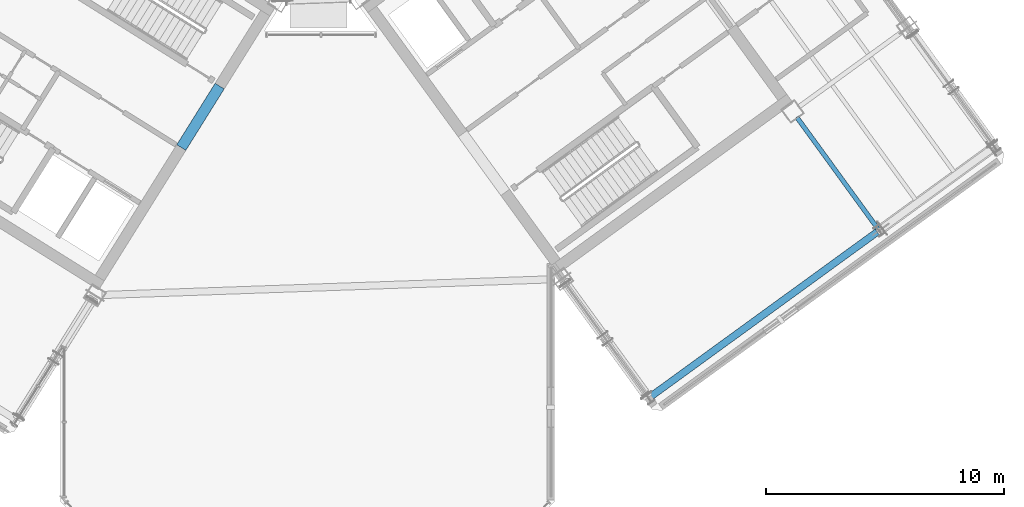
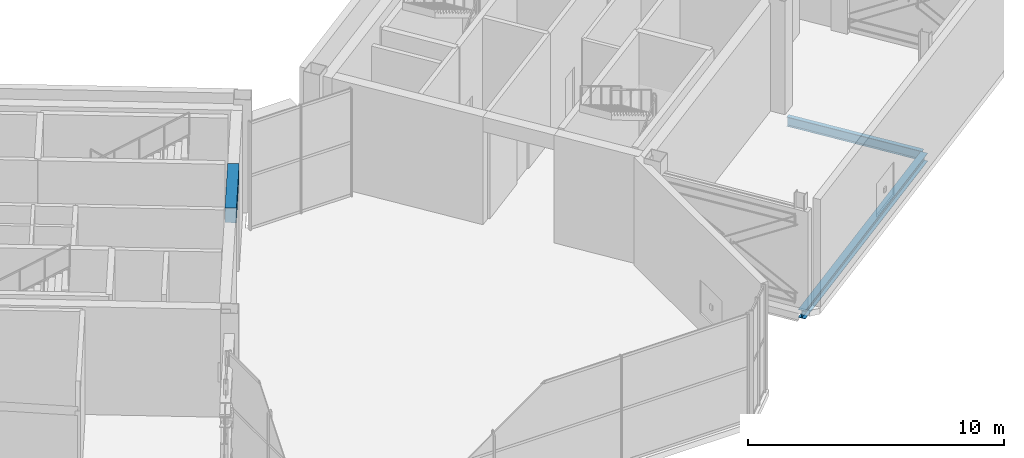
# One storey, part 11 of 32: 3 beams.
"""IFC4 building model written with IfcOpenShell, lengths in metres."""

import ifcopenshell
import ifcopenshell.guid

model = None  # the IFC model being written
_history = None  # IfcOwnerHistory: only IFC2X3 demands one
_inside = {}  # id of a spatial element -> (the spatial element, [elements in it])
_under = {}  # id of a project, library or spatial element -> (it, [spatial elements below it])
_declared = {}  # id of a project -> (the project, [libraries it declares])
_typed = {}  # id of a type object -> (the type object, [elements of that type])
_made_of = {}  # id of a material, layer set ... -> (it, [elements and type objects made of it])


def new_model(schema):
    """Start an empty IFC model of exactly this schema.

    Asked for "IFC4X3", IfcOpenShell would pick the latest addendum, in which some entities
    have other attributes; the version numbers below select the first issue.
    IFC2X3 requires an IfcOwnerHistory on every rooted entity: one is made here for all.
    """
    global model, _history
    if schema == "IFC4X3":
        model = ifcopenshell.file(schema_version=(4, 3, 0, 0))
    else:
        model = ifcopenshell.file(schema=schema)
    _inside.clear()
    _under.clear()
    _declared.clear()
    _typed.clear()
    _made_of.clear()
    _history = None
    if model.schema == "IFC2X3":
        org = make("IfcOrganization", Name="unknown")
        user = make(
            "IfcPersonAndOrganization",
            ThePerson=make("IfcPerson", FamilyName="unknown"),
            TheOrganization=org,
        )
        app = make(
            "IfcApplication",
            ApplicationDeveloper=org,
            Version="unknown",
            ApplicationFullName="unknown",
            ApplicationIdentifier="unknown",
        )
        _history = make(
            "IfcOwnerHistory",
            OwningUser=user,
            OwningApplication=app,
            ChangeAction="ADDED",
            CreationDate=0,
        )
    return model


def make(cls, **values):
    """One entity of the class cls with the attributes given. An attribute that is None is left unset."""
    return model.create_entity(
        cls, **{name: value for name, value in values.items() if value is not None}
    )


def rooted(cls, **values):
    """An entity with a GlobalId (a new one), such as an element, a storey or a relation."""
    return make(cls, GlobalId=ifcopenshell.guid.new(), OwnerHistory=_history, **values)


def si_unit(unit_type, name, prefix=None):
    """IfcSIUnit, for example si_unit("LENGTHUNIT", "METRE", prefix="MILLI")."""
    return make("IfcSIUnit", UnitType=unit_type, Prefix=prefix, Name=name)


def assignment(units):
    """IfcUnitAssignment: the units of a project."""
    return None if units is None else make("IfcUnitAssignment", Units=units)


def point(xyz):
    """IfcCartesianPoint."""
    return None if xyz is None else make("IfcCartesianPoint", Coordinates=xyz)


def direction(xyz):
    """IfcDirection."""
    return None if xyz is None else make("IfcDirection", DirectionRatios=xyz)


def frame(location, z_axis=None, x_axis=None):
    """IfcAxis2Placement3D, a coordinate frame: its origin and axes. An axis left out is left unset."""
    return make(
        "IfcAxis2Placement3D",
        Location=point(location),
        Axis=direction(z_axis),
        RefDirection=direction(x_axis),
    )


def frame_2d(location, x_axis=None):
    """IfcAxis2Placement2D, a coordinate frame in the plane: its origin and x axis."""
    return make(
        "IfcAxis2Placement2D", Location=point(location), RefDirection=direction(x_axis)
    )


def origin():
    """The frame at (0, 0, 0) with its axes left unset."""
    return frame((0.0, 0.0, 0.0))


def origin_2d():
    """The frame at (0, 0) in the plane with its x axis left unset."""
    return frame_2d((0.0, 0.0))


def place(relative_to, where):
    """IfcLocalPlacement: puts the frame where relative to a parent placement (None: the world)."""
    return make(
        "IfcLocalPlacement", PlacementRelTo=relative_to, RelativePlacement=where
    )


def context(
    kind, dimensions, precision=None, world=None, true_north=None, identifier=None
):
    """IfcGeometricRepresentationContext, for example the 3D "Model" context."""
    return make(
        "IfcGeometricRepresentationContext",
        ContextIdentifier=identifier,
        ContextType=kind,
        CoordinateSpaceDimension=dimensions,
        Precision=precision,
        WorldCoordinateSystem=world,
        TrueNorth=true_north,
    )


def subcontext(parent, identifier, kind, view, scale=None):
    """IfcGeometricRepresentationSubContext, for example "Body" below "Model"."""
    return make(
        "IfcGeometricRepresentationSubContext",
        ContextIdentifier=identifier,
        ContextType=kind,
        ParentContext=parent,
        TargetScale=scale,
        TargetView=view,
    )


def project(units=None, contexts=None):
    """IfcProject with its units and contexts."""
    return rooted(
        "IfcProject",
        Name="project",
        RepresentationContexts=contexts,
        UnitsInContext=assignment(units),
    )


def spatial(cls, under=None, at=None, **own):
    """A site, building, storey or space (cls), placed at a placement, below another one or the project."""
    s = rooted(cls, ObjectPlacement=at, **own)
    if under is not None:
        _under.setdefault(under.id(), (under, []))[1].append(s)
    return s


def profile(cls, at=None, kind="AREA", **sizes):
    """A parametric profile (cls). Its sizes go by their IFC names, for example OverallWidth=200.0."""
    return make(cls, ProfileType=kind, Position=at, **sizes)


def rectangle(**sizes):
    """IfcRectangleProfileDef."""
    return profile("IfcRectangleProfileDef", **sizes)


def i_section(**sizes):
    """IfcIShapeProfileDef."""
    return profile("IfcIShapeProfileDef", **sizes)


def extrude(swept, where, along, depth):
    """IfcExtrudedAreaSolid: the profile swept, set in the frame where, extruded along a direction by depth."""
    return make(
        "IfcExtrudedAreaSolid",
        SweptArea=swept,
        Position=where,
        ExtrudedDirection=direction(along),
        Depth=depth,
    )


def shape(context_of_items, identifier, shape_type, items):
    """IfcShapeRepresentation: the items that make up one representation, for example the "Body"."""
    return make(
        "IfcShapeRepresentation",
        ContextOfItems=context_of_items,
        RepresentationIdentifier=identifier,
        RepresentationType=shape_type,
        Items=items,
    )


def source(mapping_origin, context_of_items, identifier, shape_type, items):
    """IfcRepresentationMap: a shape defined once, which mapped items show again and again."""
    return make(
        "IfcRepresentationMap",
        MappingOrigin=mapping_origin,
        MappedRepresentation=shape(context_of_items, identifier, shape_type, items),
    )


def transform(
    local_origin,
    x_axis=None,
    y_axis=None,
    z_axis=None,
    scale=None,
    scale2=None,
    scale3=None,
    uniform=True,
):
    """IfcCartesianTransformationOperator3D, or its non-uniform kind. x_axis, y_axis, z_axis: its Axis1, 2, 3."""
    if uniform:
        return make(
            "IfcCartesianTransformationOperator3D",
            Axis1=direction(x_axis),
            Axis2=direction(y_axis),
            LocalOrigin=point(local_origin),
            Scale=scale,
            Axis3=direction(z_axis),
        )
    return make(
        "IfcCartesianTransformationOperator3DnonUniform",
        Axis1=direction(x_axis),
        Axis2=direction(y_axis),
        LocalOrigin=point(local_origin),
        Scale=scale,
        Axis3=direction(z_axis),
        Scale2=scale2,
        Scale3=scale3,
    )


def mapped(mapping_source, mapping_target):
    """IfcMappedItem: shows the shape of a source again, moved by a transform."""
    return make(
        "IfcMappedItem", MappingSource=mapping_source, MappingTarget=mapping_target
    )


def material(Name=None, Category=None):
    """IfcMaterial."""
    return make("IfcMaterial", Name=Name, Category=Category)


def material_profile(
    of_material, cross_section, Name=None, Category=None, Priority=None
):
    """IfcMaterialProfile: a cross section and its material."""
    return make(
        "IfcMaterialProfile",
        Name=Name,
        Material=of_material,
        Profile=cross_section,
        Priority=Priority,
        Category=Category,
    )


def profile_set(profiles, Name=None, composite=None):
    """IfcMaterialProfileSet."""
    return make(
        "IfcMaterialProfileSet",
        Name=Name,
        MaterialProfiles=profiles,
        CompositeProfile=composite,
    )


def made_of(thing, what):
    """Note that an element or type object is made of a material, layer set ...; save() writes the relation."""
    if what is not None:
        _made_of.setdefault(what.id(), (what, []))[1].append(thing)
    return thing


def type_object(cls, material=None, **own):
    """A type object (cls), such as IfcWallType, which elements share."""
    return made_of(rooted(cls, **own), material)


def element(
    cls,
    number,
    at=None,
    inside=None,
    cuts=None,
    type_object=None,
    material=None,
    context=None,
    identifier="Body",
    shape_type=None,
    held_by="IfcProductDefinitionShape",
    body=None,
    shapes=None,
    **own,
):
    """One element of the class cls, such as IfcWall. Its Tag is "e" and its number.

    at: its placement. inside: the storey or other place that contains it. cuts: it is an
    opening in that element (IfcRelVoidsElement). A single representation is given by context,
    identifier, shape_type and body (its items); several are given by shapes. held_by: the class
    of the entity that holds the representations. save() writes the other relations.
    """
    e = rooted(cls, Tag="e%d" % number, ObjectPlacement=at, **own)
    if body is not None:
        shapes = [shape(context, identifier, shape_type, body)]
    if shapes is not None:
        e.Representation = make(held_by, Representations=shapes)
    if inside is not None:
        _inside.setdefault(inside.id(), (inside, []))[1].append(e)
    if cuts is not None:
        rooted(
            "IfcRelVoidsElement", RelatingBuildingElement=cuts, RelatedOpeningElement=e
        )
    if type_object is not None:
        _typed.setdefault(type_object.id(), (type_object, []))[1].append(e)
    return made_of(e, material)


def aggregate(whole, parts):
    """IfcRelAggregates: a whole, such as a stair, and the parts it consists of."""
    return rooted("IfcRelAggregates", RelatingObject=whole, RelatedObjects=parts)


def save(model, path):
    """Write the relations noted so far, then the file.

    IfcRelAggregates (storeys below a building ...), IfcRelContainedInSpatialStructure (elements
    in a storey), IfcRelDefinesByType, IfcRelAssociatesMaterial and IfcRelDeclares: one each for
    every whole, place, type object, material and project.
    """
    for whole, parts in _under.values():
        aggregate(whole, parts)
    for where, things in _inside.values():
        rooted(
            "IfcRelContainedInSpatialStructure",
            RelatedElements=things,
            RelatingStructure=where,
        )
    for kind, things in _typed.values():
        rooted("IfcRelDefinesByType", RelatedObjects=things, RelatingType=kind)
    for what, things in _made_of.values():
        rooted("IfcRelAssociatesMaterial", RelatedObjects=things, RelatingMaterial=what)
    for by, libraries in _declared.values():
        rooted("IfcRelDeclares", RelatingContext=by, RelatedDefinitions=libraries)
    model.write(path)


model = new_model("IFC4")

# Units and contexts
model_context = context("Model", 3, precision=1e-05, world=origin(), true_north=direction((0.0, 1.0)))
body_context = subcontext(model_context, "Body", "Model", "MODEL_VIEW")
ifc_project = project(units=[si_unit("LENGTHUNIT", "METRE"), si_unit("AREAUNIT", "SQUARE_METRE"), si_unit("VOLUMEUNIT", "CUBIC_METRE"), si_unit("PLANEANGLEUNIT", "RADIAN"), si_unit("MASSUNIT", "GRAM", prefix="KILO")], contexts=[model_context])

# Site, building, storey
site_placement = place(None, origin())
site = spatial("IfcSite", under=ifc_project, at=site_placement, CompositionType="ELEMENT")
building_placement = place(site_placement, origin())
building = spatial("IfcBuilding", under=site, at=building_placement, Name="Tlacorven Tower", CompositionType="ELEMENT")
storey_placement = place(building_placement, frame((0.0, 0.0, 245.699951171875)))
storey = spatial("IfcBuildingStorey", under=building, at=storey_placement, Name="L62", CompositionType="ELEMENT", Elevation=245.699951171875)

# Beams
ifc_material_1 = material(Name="Concrete C60/75", Category="concrete")
ifc_material_profile_1 = material_profile(ifc_material_1, rectangle(XDim=0.449951171875, YDim=0.699951171875, at=origin_2d()), Name="RC 450X700")
ifc_profile_set_1 = profile_set([ifc_material_profile_1], Name="Concrete C60/75")
beam_type_1 = type_object("IfcBeamType", Name="BM-LNT-700", PredefinedType="LINTEL", material=ifc_profile_set_1)
shared_shape_1 = source(origin(), body_context, "Body", "SweptSolid", [
    extrude(rectangle(XDim=0.449951171875, YDim=0.699951171875, at=origin_2d()), origin(), (0.0, 0.0, 1.0), 3.050048828125),
])
beam_1_placement = place(storey_placement, frame((38.2998046875, 20.890625, 4.800048828125), z_axis=(-0.529984549635, -0.848007297815, 0.0), x_axis=(0.848007297815, -0.529984549635, 0.0)))
element("IfcBeam", 1, at=beam_1_placement, inside=storey, type_object=beam_type_1, Name="L62 W core coupling lintel beam E1", PredefinedType="LINTEL", context=body_context, shape_type="MappedRepresentation", body=[
    mapped(shared_shape_1, transform((0.0, 0.0, 0.0), scale=1.0)),
])
ifc_material_2 = material(Name="Steel S355J2", Category="steel")
ifc_material_profile_2 = material_profile(ifc_material_2, i_section(OverallWidth=0.300048828125, OverallDepth=0.389892578125, WebThickness=0.010986328125, FlangeThickness=0.01904296875, at=origin_2d()), Name="HEA 400")
ifc_profile_set_2 = profile_set([ifc_material_profile_2], Name="Steel S355J2")
beam_type_2 = type_object("IfcBeamType", Name="BM-SPN-400", PredefinedType="SPANDREL", material=ifc_profile_set_2)
shared_shape_2 = source(origin(), body_context, "Body", "SweptSolid", [
    extrude(i_section(OverallWidth=0.300048828125, OverallDepth=0.389892578125, WebThickness=0.010986328125, FlangeThickness=0.01904296875, at=origin_2d()), origin(), (0.0, 0.0, 1.0), 11.800048828125),
])
beam_2_placement = place(storey_placement, frame((56.4306640625, 7.816162109375, -0.474853515625), z_axis=(0.80900977213, 0.587795192732, 0.0), x_axis=(-0.587795192732, 0.80900977213, 0.0)))
element("IfcBeam", 2, at=beam_2_placement, inside=storey, type_object=beam_type_2, Name="L62 beam BM-L62-EL1-1", PredefinedType="SPANDREL", context=body_context, shape_type="MappedRepresentation", body=[
    mapped(shared_shape_2, transform((0.0, 0.0, 0.0), scale=1.0)),
])
ifc_material_profile_3 = material_profile(ifc_material_2, i_section(OverallWidth=0.18994140625, OverallDepth=0.449951171875, WebThickness=0.009521484375, FlangeThickness=0.0146484375, at=origin_2d()), Name="IPE 450")
ifc_profile_set_3 = profile_set([ifc_material_profile_3], Name="Steel S355J2")
beam_type_3 = type_object("IfcBeamType", Name="BM-TWR-450", PredefinedType="BEAM", material=ifc_profile_set_3)
shared_shape_3 = source(origin(), body_context, "Body", "SweptSolid", [
    extrude(i_section(OverallWidth=0.18994140625, OverallDepth=0.449951171875, WebThickness=0.009521484375, FlangeThickness=0.0146484375, at=origin_2d()), origin(), (0.0, 0.0, 1.0), 5.800048828125),
])
beam_3_placement = place(storey_placement, frame((65.9990234375, 14.891845703125, -0.5048828125), z_axis=(-0.587781191743, 0.809019944521, 0.0), x_axis=(-0.809019944521, -0.587781191743, 0.0)))
element("IfcBeam", 3, at=beam_3_placement, inside=storey, type_object=beam_type_3, Name="L62 beam BM-L62-ET3-1", PredefinedType="BEAM", context=body_context, shape_type="MappedRepresentation", body=[
    mapped(shared_shape_3, transform((0.0, 0.0, 0.0), scale=1.0)),
])

save(model, "model.ifc")
